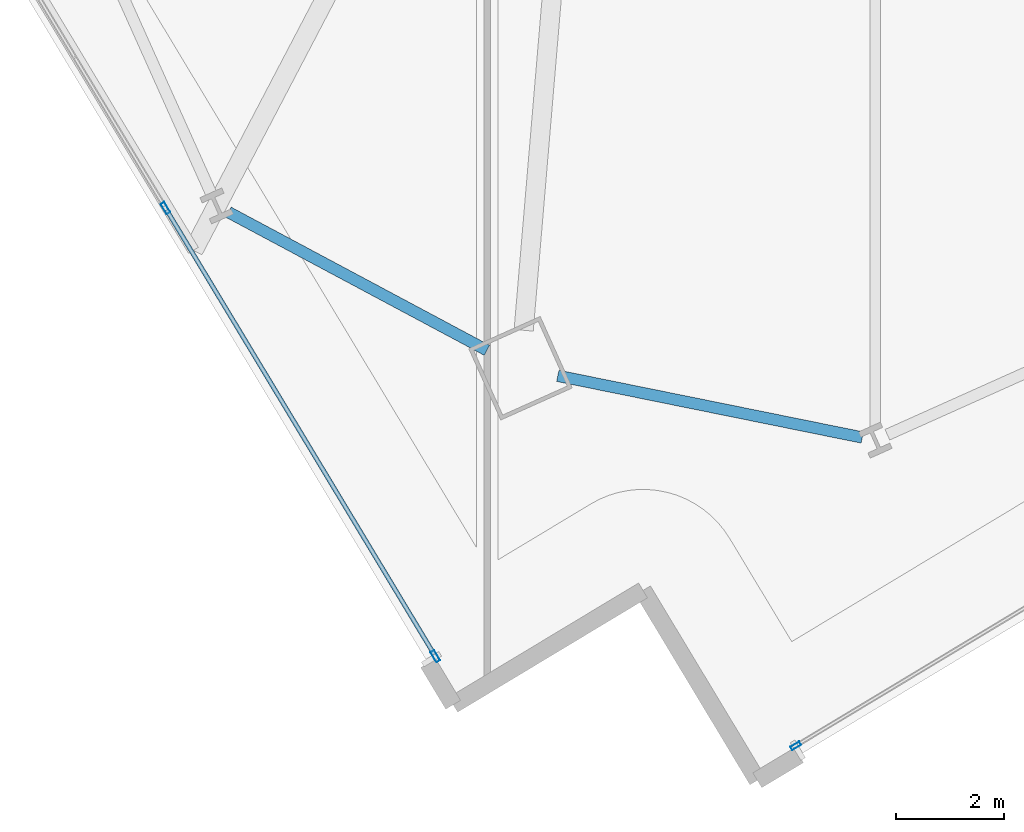
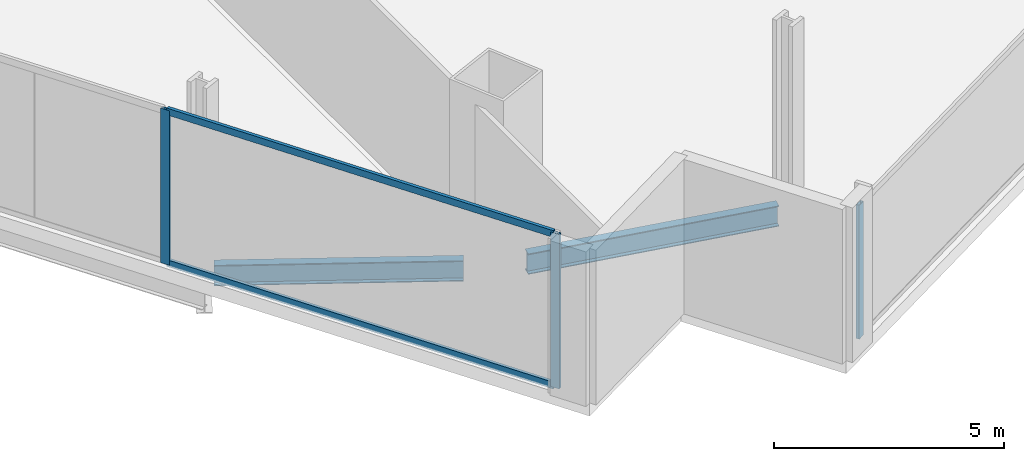
# One storey, part 2 of 30: 5 members, 2 beams, 2 elements without a shape of their own.
"""IFC4 building model written with IfcOpenShell, lengths in metres."""

import ifcopenshell
import ifcopenshell.guid

model = None  # the IFC model being written
_history = None  # IfcOwnerHistory: only IFC2X3 demands one
_inside = {}  # id of a spatial element -> (the spatial element, [elements in it])
_under = {}  # id of a project, library or spatial element -> (it, [spatial elements below it])
_declared = {}  # id of a project -> (the project, [libraries it declares])
_typed = {}  # id of a type object -> (the type object, [elements of that type])
_made_of = {}  # id of a material, layer set ... -> (it, [elements and type objects made of it])


def new_model(schema):
    """Start an empty IFC model of exactly this schema.

    Asked for "IFC4X3", IfcOpenShell would pick the latest addendum, in which some entities
    have other attributes; the version numbers below select the first issue.
    IFC2X3 requires an IfcOwnerHistory on every rooted entity: one is made here for all.
    """
    global model, _history
    if schema == "IFC4X3":
        model = ifcopenshell.file(schema_version=(4, 3, 0, 0))
    else:
        model = ifcopenshell.file(schema=schema)
    _inside.clear()
    _under.clear()
    _declared.clear()
    _typed.clear()
    _made_of.clear()
    _history = None
    if model.schema == "IFC2X3":
        org = make("IfcOrganization", Name="unknown")
        user = make(
            "IfcPersonAndOrganization",
            ThePerson=make("IfcPerson", FamilyName="unknown"),
            TheOrganization=org,
        )
        app = make(
            "IfcApplication",
            ApplicationDeveloper=org,
            Version="unknown",
            ApplicationFullName="unknown",
            ApplicationIdentifier="unknown",
        )
        _history = make(
            "IfcOwnerHistory",
            OwningUser=user,
            OwningApplication=app,
            ChangeAction="ADDED",
            CreationDate=0,
        )
    return model


def make(cls, **values):
    """One entity of the class cls with the attributes given. An attribute that is None is left unset."""
    return model.create_entity(
        cls, **{name: value for name, value in values.items() if value is not None}
    )


def rooted(cls, **values):
    """An entity with a GlobalId (a new one), such as an element, a storey or a relation."""
    return make(cls, GlobalId=ifcopenshell.guid.new(), OwnerHistory=_history, **values)


def si_unit(unit_type, name, prefix=None):
    """IfcSIUnit, for example si_unit("LENGTHUNIT", "METRE", prefix="MILLI")."""
    return make("IfcSIUnit", UnitType=unit_type, Prefix=prefix, Name=name)


def assignment(units):
    """IfcUnitAssignment: the units of a project."""
    return None if units is None else make("IfcUnitAssignment", Units=units)


def point(xyz):
    """IfcCartesianPoint."""
    return None if xyz is None else make("IfcCartesianPoint", Coordinates=xyz)


def direction(xyz):
    """IfcDirection."""
    return None if xyz is None else make("IfcDirection", DirectionRatios=xyz)


def frame(location, z_axis=None, x_axis=None):
    """IfcAxis2Placement3D, a coordinate frame: its origin and axes. An axis left out is left unset."""
    return make(
        "IfcAxis2Placement3D",
        Location=point(location),
        Axis=direction(z_axis),
        RefDirection=direction(x_axis),
    )


def frame_2d(location, x_axis=None):
    """IfcAxis2Placement2D, a coordinate frame in the plane: its origin and x axis."""
    return make(
        "IfcAxis2Placement2D", Location=point(location), RefDirection=direction(x_axis)
    )


def origin():
    """The frame at (0, 0, 0) with its axes left unset."""
    return frame((0.0, 0.0, 0.0))


def origin_2d():
    """The frame at (0, 0) in the plane with its x axis left unset."""
    return frame_2d((0.0, 0.0))


def place(relative_to, where):
    """IfcLocalPlacement: puts the frame where relative to a parent placement (None: the world)."""
    return make(
        "IfcLocalPlacement", PlacementRelTo=relative_to, RelativePlacement=where
    )


def context(
    kind, dimensions, precision=None, world=None, true_north=None, identifier=None
):
    """IfcGeometricRepresentationContext, for example the 3D "Model" context."""
    return make(
        "IfcGeometricRepresentationContext",
        ContextIdentifier=identifier,
        ContextType=kind,
        CoordinateSpaceDimension=dimensions,
        Precision=precision,
        WorldCoordinateSystem=world,
        TrueNorth=true_north,
    )


def subcontext(parent, identifier, kind, view, scale=None):
    """IfcGeometricRepresentationSubContext, for example "Body" below "Model"."""
    return make(
        "IfcGeometricRepresentationSubContext",
        ContextIdentifier=identifier,
        ContextType=kind,
        ParentContext=parent,
        TargetScale=scale,
        TargetView=view,
    )


def project(units=None, contexts=None):
    """IfcProject with its units and contexts."""
    return rooted(
        "IfcProject",
        Name="project",
        RepresentationContexts=contexts,
        UnitsInContext=assignment(units),
    )


def spatial(cls, under=None, at=None, **own):
    """A site, building, storey or space (cls), placed at a placement, below another one or the project."""
    s = rooted(cls, ObjectPlacement=at, **own)
    if under is not None:
        _under.setdefault(under.id(), (under, []))[1].append(s)
    return s


def profile(cls, at=None, kind="AREA", **sizes):
    """A parametric profile (cls). Its sizes go by their IFC names, for example OverallWidth=200.0."""
    return make(cls, ProfileType=kind, Position=at, **sizes)


def hollow_rectangle(**sizes):
    """IfcRectangleHollowProfileDef."""
    return profile("IfcRectangleHollowProfileDef", **sizes)


def i_section(**sizes):
    """IfcIShapeProfileDef."""
    return profile("IfcIShapeProfileDef", **sizes)


def extrude(swept, where, along, depth):
    """IfcExtrudedAreaSolid: the profile swept, set in the frame where, extruded along a direction by depth."""
    return make(
        "IfcExtrudedAreaSolid",
        SweptArea=swept,
        Position=where,
        ExtrudedDirection=direction(along),
        Depth=depth,
    )


def shape(context_of_items, identifier, shape_type, items):
    """IfcShapeRepresentation: the items that make up one representation, for example the "Body"."""
    return make(
        "IfcShapeRepresentation",
        ContextOfItems=context_of_items,
        RepresentationIdentifier=identifier,
        RepresentationType=shape_type,
        Items=items,
    )


def material(Name=None, Category=None):
    """IfcMaterial."""
    return make("IfcMaterial", Name=Name, Category=Category)


def material_profile(
    of_material, cross_section, Name=None, Category=None, Priority=None
):
    """IfcMaterialProfile: a cross section and its material."""
    return make(
        "IfcMaterialProfile",
        Name=Name,
        Material=of_material,
        Profile=cross_section,
        Priority=Priority,
        Category=Category,
    )


def profile_set(profiles, Name=None, composite=None):
    """IfcMaterialProfileSet."""
    return make(
        "IfcMaterialProfileSet",
        Name=Name,
        MaterialProfiles=profiles,
        CompositeProfile=composite,
    )


def made_of(thing, what):
    """Note that an element or type object is made of a material, layer set ...; save() writes the relation."""
    if what is not None:
        _made_of.setdefault(what.id(), (what, []))[1].append(thing)
    return thing


def type_object(cls, material=None, **own):
    """A type object (cls), such as IfcWallType, which elements share."""
    return made_of(rooted(cls, **own), material)


def element(
    cls,
    number,
    at=None,
    inside=None,
    cuts=None,
    type_object=None,
    material=None,
    context=None,
    identifier="Body",
    shape_type=None,
    held_by="IfcProductDefinitionShape",
    body=None,
    shapes=None,
    **own,
):
    """One element of the class cls, such as IfcWall. Its Tag is "e" and its number.

    at: its placement. inside: the storey or other place that contains it. cuts: it is an
    opening in that element (IfcRelVoidsElement). A single representation is given by context,
    identifier, shape_type and body (its items); several are given by shapes. held_by: the class
    of the entity that holds the representations. save() writes the other relations.
    """
    e = rooted(cls, Tag="e%d" % number, ObjectPlacement=at, **own)
    if body is not None:
        shapes = [shape(context, identifier, shape_type, body)]
    if shapes is not None:
        e.Representation = make(held_by, Representations=shapes)
    if inside is not None:
        _inside.setdefault(inside.id(), (inside, []))[1].append(e)
    if cuts is not None:
        rooted(
            "IfcRelVoidsElement", RelatingBuildingElement=cuts, RelatedOpeningElement=e
        )
    if type_object is not None:
        _typed.setdefault(type_object.id(), (type_object, []))[1].append(e)
    return made_of(e, material)


def aggregate(whole, parts):
    """IfcRelAggregates: a whole, such as a stair, and the parts it consists of."""
    return rooted("IfcRelAggregates", RelatingObject=whole, RelatedObjects=parts)


def save(model, path):
    """Write the relations noted so far, then the file.

    IfcRelAggregates (storeys below a building ...), IfcRelContainedInSpatialStructure (elements
    in a storey), IfcRelDefinesByType, IfcRelAssociatesMaterial and IfcRelDeclares: one each for
    every whole, place, type object, material and project.
    """
    for whole, parts in _under.values():
        aggregate(whole, parts)
    for where, things in _inside.values():
        rooted(
            "IfcRelContainedInSpatialStructure",
            RelatedElements=things,
            RelatingStructure=where,
        )
    for kind, things in _typed.values():
        rooted("IfcRelDefinesByType", RelatedObjects=things, RelatingType=kind)
    for what, things in _made_of.values():
        rooted("IfcRelAssociatesMaterial", RelatedObjects=things, RelatingMaterial=what)
    for by, libraries in _declared.values():
        rooted("IfcRelDeclares", RelatingContext=by, RelatedDefinitions=libraries)
    model.write(path)


model = new_model("IFC4")

# Units and contexts
model_context = context("Model", 3, precision=1e-05, world=origin(), true_north=direction((0.0, 1.0)))
body_context = subcontext(model_context, "Body", "Model", "MODEL_VIEW")
ifc_project = project(units=[si_unit("LENGTHUNIT", "METRE"), si_unit("AREAUNIT", "SQUARE_METRE"), si_unit("VOLUMEUNIT", "CUBIC_METRE"), si_unit("PLANEANGLEUNIT", "RADIAN"), si_unit("MASSUNIT", "GRAM", prefix="KILO")], contexts=[model_context])

# Site, building, storey
site_placement = place(None, origin())
site = spatial("IfcSite", under=ifc_project, at=site_placement, CompositionType="ELEMENT")
building_placement = place(site_placement, origin())
building = spatial("IfcBuilding", under=site, at=building_placement, Name="Haldenkirk Collegiate Tower", CompositionType="ELEMENT")
storey_placement = place(building_placement, frame((0.0, 0.0, 131.699951171875)))
storey = spatial("IfcBuildingStorey", under=building, at=storey_placement, Name="L32", CompositionType="ELEMENT", Elevation=131.699951171875)

# Beams
ifc_material_1 = material(Name="Steel ASTM A992 Grade 50", Category="steel")
ifc_material_profile_1 = material_profile(ifc_material_1, i_section(OverallWidth=0.2119140625, OverallDepth=0.5439453125, WebThickness=0.01318359375, FlangeThickness=0.021240234375, at=origin_2d()), Name="W21X83")
ifc_profile_set_1 = profile_set([ifc_material_profile_1], Name="Steel ASTM A992 Grade 50")
beam_type = type_object("IfcBeamType", Name="BM-SPANDREL-W21X83", PredefinedType="SPANDREL", material=ifc_profile_set_1)
beam_1_placement = place(storey_placement, frame((26.3076171875, 1.477783203125, -0.6220703125), z_axis=(0.980077587146, -0.19861501246, 0.0), x_axis=(0.19861501246, 0.980077587146, 0.0)))
element("IfcBeam", 1, at=beam_1_placement, inside=storey, type_object=beam_type, Name="L32 perimeter spandrel beam 01", PredefinedType="SPANDREL", context=body_context, shape_type="SweptSolid", body=[
    extrude(i_section(OverallWidth=0.2119140625, OverallDepth=0.5439453125, WebThickness=0.01318359375, FlangeThickness=0.021240234375, at=origin_2d()), origin(), (0.0, 0.0, 1.0), 5.747802734375),
])
beam_2_placement = place(storey_placement, frame((20.21240234375, 4.505615234375, -0.6220703125), z_axis=(0.881987493029, -0.471272810737, 0.0), x_axis=(0.471272810737, 0.881987493029, 0.0)))
element("IfcBeam", 2, at=beam_2_placement, inside=storey, type_object=beam_type, Name="L32 perimeter spandrel beam 16", PredefinedType="SPANDREL", context=body_context, shape_type="SweptSolid", body=[
    extrude(i_section(OverallWidth=0.2119140625, OverallDepth=0.5439453125, WebThickness=0.01318359375, FlangeThickness=0.021240234375, at=origin_2d()), origin(), (0.0, 0.0, 1.0), 5.42236328125),
])

# Curtain wall, member
ifc_material_2 = material(Name="Anodised architectural bronze aluminium", Category="aluminium")
curtain_wall_type_1 = type_object("IfcCurtainWallType", Name="CW-SYS2-CONCAVE", PredefinedType="USERDEFINED", material=ifc_material_2)
curtain_wall_1_placement = place(storey_placement, origin())
curtain_wall_1 = element("IfcCurtainWall", 3, at=curtain_wall_1_placement, inside=storey, type_object=curtain_wall_type_1, Name="L32 South concave recessed bronze-anodised curtain wall", ObjectType="UNITISED CURTAIN WALL", PredefinedType="USERDEFINED")
ifc_material_profile_2 = material_profile(ifc_material_2, hollow_rectangle(XDim=0.074951171875, YDim=0.18994140625, WallThickness=0.0048828125, at=origin_2d()), Name="CW-MUL-02")
ifc_profile_set_2 = profile_set([ifc_material_profile_2], Name="Anodised architectural bronze aluminium")
member_type_1 = type_object("IfcMemberType", Name="CW-MUL-02", PredefinedType="MULLION", material=ifc_profile_set_2)
member_1_placement = place(storey_placement, frame((30.708984375, -5.36865234375, 0.0), z_axis=(0.0, 0.0, 1.0), x_axis=(0.515785392366, -0.856717823453, 0.0)))
member_1 = element("IfcMember", 4, at=member_1_placement, type_object=member_type_1, Name="CW-02 mullion 5", PredefinedType="MULLION", context=body_context, shape_type="SweptSolid", body=[
    extrude(hollow_rectangle(XDim=0.074951171875, YDim=0.18994140625, WallThickness=0.0048828125, at=origin_2d()), origin(), (0.0, 0.0, 1.0), 3.551025390625),
])
aggregate(curtain_wall_1, [member_1])

# Curtain wall, members
curtain_wall_type_2 = type_object("IfcCurtainWallType", Name="CW-SYS1-CONVEX-LOW", PredefinedType="USERDEFINED", material=ifc_material_2)
curtain_wall_2_placement = place(storey_placement, origin())
curtain_wall_2 = element("IfcCurtainWall", 5, at=curtain_wall_2_placement, inside=storey, type_object=curtain_wall_type_2, Name="L32 Lower tower convex bronze-framed unitised curtain wall", ObjectType="UNITISED CURTAIN WALL", PredefinedType="USERDEFINED")
ifc_material_profile_3 = material_profile(ifc_material_2, hollow_rectangle(XDim=0.080078125, YDim=0.219970703125, WallThickness=0.0048828125, at=origin_2d()), Name="CW-MUL-1A")
ifc_profile_set_3 = profile_set([ifc_material_profile_3], Name="Anodised architectural bronze aluminium")
member_type_2 = type_object("IfcMemberType", Name="CW-MUL-1A", PredefinedType="MULLION", material=ifc_profile_set_3)
member_2_placement = place(storey_placement, frame((24.040771484375, -3.71044921875, 0.0), z_axis=(0.0, 0.0, 1.0), x_axis=(-0.85671798361, -0.515785126345, 0.0)))
member_2 = element("IfcMember", 6, at=member_2_placement, type_object=member_type_2, Name="CW-1A mullion 1", PredefinedType="MULLION", context=body_context, shape_type="SweptSolid", body=[
    extrude(hollow_rectangle(XDim=0.080078125, YDim=0.219970703125, WallThickness=0.0048828125, at=origin_2d()), origin(), (0.0, 0.0, 1.0), 4.10009765625),
])
member_3_placement = place(storey_placement, frame((19.048583984375, 4.58154296875, 0.0), z_axis=(0.0, 0.0, 1.0), x_axis=(-0.85671798361, -0.515785126345, 0.0)))
member_3 = element("IfcMember", 7, at=member_3_placement, type_object=member_type_2, Name="CW-1A mullion 2", PredefinedType="MULLION", context=body_context, shape_type="SweptSolid", body=[
    extrude(hollow_rectangle(XDim=0.080078125, YDim=0.219970703125, WallThickness=0.0048828125, at=origin_2d()), origin(), (0.0, 0.0, 1.0), 4.10009765625),
])
ifc_material_profile_4 = material_profile(ifc_material_2, hollow_rectangle(XDim=0.080078125, YDim=0.179931640625, WallThickness=0.0048828125, at=origin_2d()), Name="CW-TRN-1A")
ifc_profile_set_4 = profile_set([ifc_material_profile_4], Name="Anodised architectural bronze aluminium")
member_type_3 = type_object("IfcMemberType", Name="CW-TRN-1A", PredefinedType="USERDEFINED", material=ifc_profile_set_4)
member_4_placement = place(storey_placement, frame((24.02001953125, -3.67626953125, 0.0400390625), z_axis=(-0.515789344487, 0.856715444073, 0.0), x_axis=(-0.856715444073, -0.515789344487, 0.0)))
member_4 = element("IfcMember", 8, at=member_4_placement, type_object=member_type_3, Name="CW-1A transom 1.1", ObjectType="TRANSOM", PredefinedType="USERDEFINED", context=body_context, shape_type="SweptSolid", body=[
    extrude(hollow_rectangle(XDim=0.080078125, YDim=0.179931640625, WallThickness=0.0048828125, at=origin_2d()), origin(), (0.0, 0.0, 1.0), 9.5986328125),
])
member_5_placement = place(storey_placement, frame((24.02001953125, -3.67626953125, 4.06005859375), z_axis=(-0.515789344487, 0.856715444073, 0.0), x_axis=(-0.856715444073, -0.515789344487, 0.0)))
member_5 = element("IfcMember", 9, at=member_5_placement, type_object=member_type_3, Name="CW-1A transom 1.2", ObjectType="TRANSOM", PredefinedType="USERDEFINED", context=body_context, shape_type="SweptSolid", body=[
    extrude(hollow_rectangle(XDim=0.080078125, YDim=0.179931640625, WallThickness=0.0048828125, at=origin_2d()), origin(), (0.0, 0.0, 1.0), 9.5986328125),
])
aggregate(curtain_wall_2, [member_2, member_3, member_4, member_5])

save(model, "model.ifc")
